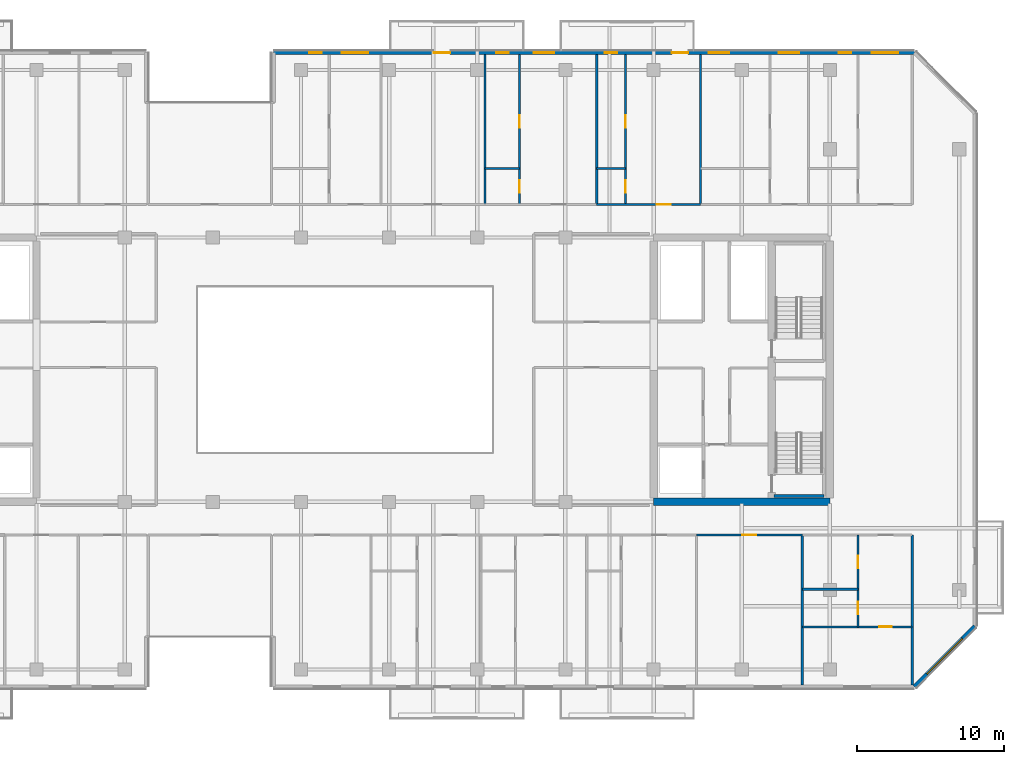
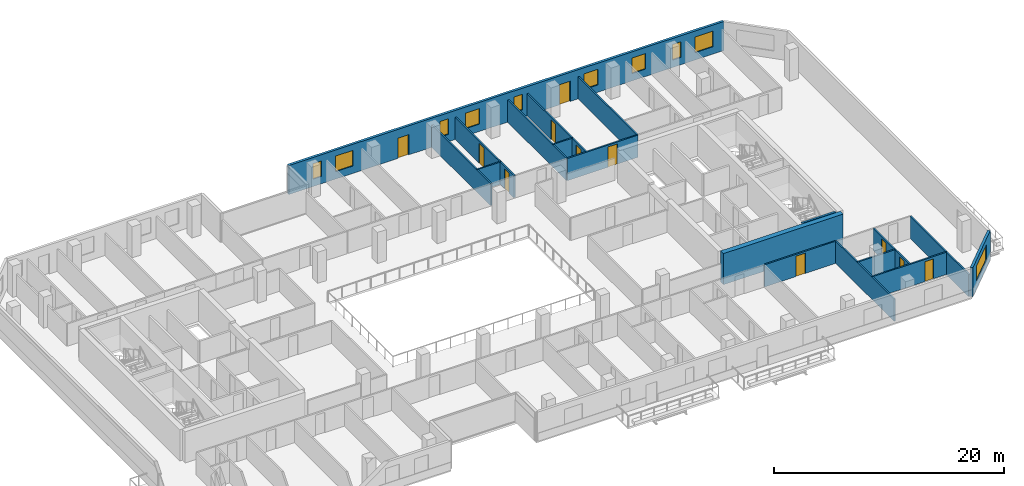
# One storey, part 13 of 19: 18 walls, 11 doors, 10 windows, 21 openings.
"""IFC4 building model written with IfcOpenShell, lengths in metres."""

from ifc_helpers import new_model, si_unit, direction, frame, frame_2d, origin, place, context, subcontext, project, spatial, rectangle, extrude, material, layer, layer_set, type_object, element, fill, save


model = new_model("IFC4")

# Units and contexts
model_context = context("Model", 3, precision=1e-05, world=origin(), true_north=direction((0.0, 1.0)))
body_context = subcontext(model_context, "Body", "Model", "MODEL_VIEW")
ifc_project = project(units=[si_unit("LENGTHUNIT", "METRE"), si_unit("AREAUNIT", "SQUARE_METRE"), si_unit("VOLUMEUNIT", "CUBIC_METRE"), si_unit("PLANEANGLEUNIT", "RADIAN"), si_unit("MASSUNIT", "GRAM", prefix="KILO")], contexts=[model_context])

# Site, building, storey
site_placement = place(None, origin())
site = spatial("IfcSite", under=ifc_project, at=site_placement, CompositionType="ELEMENT")
building_placement = place(site_placement, origin())
building = spatial("IfcBuilding", under=site, at=building_placement, Name="Tanjung Sevakor Pilgrim Tower", CompositionType="ELEMENT")
storey_placement = place(building_placement, frame((0.0, 0.0, 132.0)))
storey = spatial("IfcBuildingStorey", under=building, at=storey_placement, Name="L36", CompositionType="ELEMENT", Elevation=132.0)

# Walls
ifc_material_1 = material(Name="Concrete C60/75", Category="concrete")
ifc_layer_1 = layer(ifc_material_1, 0.5)
ifc_layer_set_1 = layer_set([ifc_layer_1], Name="WALL-CW-500")
wall_type_1 = type_object("IfcWallType", Name="WALL-CW-500", PredefinedType="SHEAR", material=ifc_layer_set_1)
wall_1_placement = place(storey_placement, frame((78.0, 24.60009765625, 0.0), z_axis=(0.0, 0.0, 1.0), x_axis=(1.0, 0.0, 0.0)))
element("IfcWall", 1, at=wall_1_placement, inside=storey, type_object=wall_type_1, Name="L36 E Core South Shear Wall", PredefinedType="SHEAR", context=body_context, shape_type="SweptSolid", body=[
    extrude(rectangle(XDim=12.0, YDim=0.5, at=frame_2d((6.0, 0.0))), origin(), (0.0, 0.0, 1.0), 3.300048828125),
])
ifc_material_2 = material(Name="Concrete C40/50", Category="concrete")
ifc_layer_2 = layer(ifc_material_2, 0.14990234375)
ifc_layer_set_2 = layer_set([ifc_layer_2], Name="WT-COMP-150")
wall_type_2 = type_object("IfcWallType", Name="WT-COMP-150", PredefinedType="SOLIDWALL", material=ifc_layer_set_2)
for number, where, z_axis, x_axis, name in (
    (2, (95.60009765625, 12.14990234375, 0.0), (0.0, 0.0, 1.0), (0.0, 1.0, 0.0), "L36 Partition IW-L36-049"),
    (3, (88.12255859375, 12.14990234375, 0.0), (0.0, 0.0, 1.0), (0.0, 1.0, 0.0), "L36 Partition IW-L36-064"),
):
    element("IfcWall", number, at=place(storey_placement, frame(where, z_axis=z_axis, x_axis=x_axis)), inside=storey, type_object=wall_type_2, Name=name, PredefinedType="SOLIDWALL", context=body_context, shape_type="SweptSolid", body=[
        extrude(rectangle(XDim=10.2001953125, YDim=0.14990234375, at=frame_2d((5.10009765625, 0.0))), origin(), (0.0, 0.0, 1.0), 2.35009765625),
    ])

# Wall, opening, door
wall_2_placement = place(storey_placement, frame((80.922119140625, 22.35009765625, 0.0), z_axis=(0.0, 0.0, 1.0), x_axis=(1.0, 0.0, 0.0)))
wall_2 = element("IfcWall", 4, at=wall_2_placement, inside=storey, type_object=wall_type_2, Name="L36 Partition IW-L36-065", PredefinedType="SOLIDWALL", context=body_context, shape_type="SweptSolid", body=[
    extrude(rectangle(XDim=7.200439453125, YDim=0.14990234375, at=frame_2d((3.60009765625, 0.0))), origin(), (0.0, 0.0, 1.0), 2.35009765625),
])
opening_1_placement = place(wall_2_placement, frame((3.125244140625, 0.0, 0.0)))
opening_1 = element("IfcOpeningElement", 5, at=opening_1_placement, cuts=wall_2, Name="Opening ID-FD2", PredefinedType="OPENING", context=body_context, shape_type="SweptSolid", body=[
    extrude(rectangle(XDim=0.949951171875, YDim=2.14990234375, at=frame_2d((0.47509765625, 1.074951171875))), frame((0.0, 0.0849609375, 0.0), z_axis=(0.0, -1.0, 0.0), x_axis=(1.0, 0.0, 0.0)), (0.0, 0.0, 1.0), 0.169921875),
])
ifc_material_3 = material(Name="Fire-Rated Timber", Category="wood")
door_type_1 = type_object("IfcDoorType", Name="DT-FIRE-950", OperationType="NOTDEFINED", PredefinedType="DOOR", material=ifc_material_3)
door_1_placement = place(opening_1_placement, origin())
door_1 = element("IfcDoor", 6, at=door_1_placement, inside=storey, type_object=door_type_1, Name="Study Room Entrance", OperationType="SINGLE_SWING_LEFT", OverallHeight=2.14990234375, OverallWidth=0.949951171875, PredefinedType="DOOR", context=body_context, shape_type="SweptSolid", body=[
    extrude(rectangle(XDim=0.949951171875, YDim=2.14990234375, at=frame_2d((0.47509765625, 1.074951171875))), frame((0.0, 0.02490234375, 0.0), z_axis=(0.0, -1.0, 0.0), x_axis=(1.0, 0.0, 0.0)), (0.0, 0.0, 1.0), 0.050048828125),
])
fill(opening_1, door_1)

# Walls
for number, where, z_axis, x_axis, name in (
    (7, (66.522705078125, 44.85009765625, 0.0), (0.0, 0.0, 1.0), (0.0, 1.0, 0.0), "L36 Partition IW-L36-085"),
    (8, (74.131591796875, 44.85009765625, 0.0), (0.0, 0.0, 1.0), (0.0, 1.0, 0.0), "L36 Partition IW-L36-087"),
    (9, (81.197265625, 44.85009765625, 0.0), (0.0, 0.0, 1.0), (0.0, 1.0, 0.0), "L36 Partition IW-L36-091"),
):
    element("IfcWall", number, at=place(storey_placement, frame(where, z_axis=z_axis, x_axis=x_axis)), inside=storey, type_object=wall_type_2, Name=name, PredefinedType="SOLIDWALL", context=body_context, shape_type="SweptSolid", body=[
        extrude(rectangle(XDim=10.199951171875, YDim=0.14990234375, at=frame_2d((5.10009765625, 0.0))), origin(), (0.0, 0.0, 1.0), 2.35009765625),
    ])

# Wall, opening, door
wall_3_placement = place(storey_placement, frame((74.131591796875, 44.85009765625, 0.0), z_axis=(0.0, 0.0, 1.0), x_axis=(1.0, 0.0, 0.0)))
wall_3 = element("IfcWall", 10, at=wall_3_placement, inside=storey, type_object=wall_type_2, Name="L36 Partition IW-L36-094", PredefinedType="SOLIDWALL", context=body_context, shape_type="SweptSolid", body=[
    extrude(rectangle(XDim=7.065673828125, YDim=0.14990234375, at=frame_2d((3.53271484375, 0.0))), origin(), (0.0, 0.0, 1.0), 2.35009765625),
])
opening_2_placement = place(wall_3_placement, frame((4.072021484375, 0.0, 0.0)))
opening_2 = element("IfcOpeningElement", 11, at=opening_2_placement, cuts=wall_3, Name="Opening ID-FD2", PredefinedType="OPENING", context=body_context, shape_type="SweptSolid", body=[
    extrude(rectangle(XDim=0.949951171875, YDim=2.14990234375, at=frame_2d((0.47509765625, 1.074951171875))), frame((0.0, 0.0849609375, 0.0), z_axis=(0.0, -1.0, 0.0), x_axis=(1.0, 0.0, 0.0)), (0.0, 0.0, 1.0), 0.169921875),
])
door_2_placement = place(opening_2_placement, origin())
door_2 = element("IfcDoor", 12, at=door_2_placement, inside=storey, type_object=door_type_1, Name="Hostel Quad Entrance", OperationType="SINGLE_SWING_LEFT", OverallHeight=2.14990234375, OverallWidth=0.949951171875, PredefinedType="DOOR", context=body_context, shape_type="SweptSolid", body=[
    extrude(rectangle(XDim=0.949951171875, YDim=2.14990234375, at=frame_2d((0.47509765625, 1.074951171875))), frame((0.0, 0.02490234375, 0.0), z_axis=(0.0, -1.0, 0.0), x_axis=(1.0, 0.0, 0.0)), (0.0, 0.0, 1.0), 0.050048828125),
])
fill(opening_2, door_2)

# Wall, opening, window
ifc_material_4 = material(Name="Precast concrete C45/55", Category="concrete")
ifc_layer_3 = layer(ifc_material_4, 0.25)
ifc_layer_set_3 = layer_set([ifc_layer_3], Name="WT-EW-STN3")
wall_type_3 = type_object("IfcWallType", Name="WT-EW-STN3", PredefinedType="SOLIDWALL", material=ifc_layer_set_3)
wall_4_placement = place(storey_placement, frame((95.748291015625, 12.02490234375, 0.0), z_axis=(0.0, 0.0, 1.0), x_axis=(0.70708586489, 0.707127696864, 0.0)))
wall_4 = element("IfcWall", 13, at=wall_4_placement, inside=storey, type_object=wall_type_3, Name="L36 MAIN Sculpted Corner Wall 5", PredefinedType="SOLIDWALL", context=body_context, shape_type="SweptSolid", body=[
    extrude(rectangle(XDim=5.836181640625, YDim=0.25, at=frame_2d((2.91796875, 0.0))), origin(), (0.0, 0.0, 1.0), 3.080078125),
])
opening_3_placement = place(wall_4_placement, frame((1.218017578125, 0.0, 0.780029296875)))
opening_3 = element("IfcOpeningElement", 14, at=opening_3_placement, cuts=wall_4, Name="Opening WN-CHM-1660", PredefinedType="OPENING", context=body_context, shape_type="SweptSolid", body=[
    extrude(rectangle(XDim=3.39990234375, YDim=1.659912109375, at=frame_2d((1.699951171875, 0.830078125))), frame((0.0, 0.135009765625, 0.0), z_axis=(0.0, -1.0, 0.0), x_axis=(1.0, 0.0, 0.0)), (0.0, 0.0, 1.0), 0.27001953125),
])
ifc_material_5 = material(Name="Thermally Broken Aluminium and Low-E Glass", Category="aluminium")
window_type_1 = type_object("IfcWindowType", Name="WTYP-WN-CHM-1660", PartitioningType="DOUBLE_PANEL_VERTICAL", PredefinedType="WINDOW", material=ifc_material_5)
window_1_placement = place(opening_3_placement, origin())
window_1 = element("IfcWindow", 15, at=window_1_placement, inside=storey, type_object=window_type_1, Name="L36 Facade Window 01", OverallHeight=1.659912109375, OverallWidth=3.39990234375, PartitioningType="SINGLE_PANEL", PredefinedType="WINDOW", context=body_context, shape_type="SweptSolid", body=[
    extrude(rectangle(XDim=3.39990234375, YDim=1.659912109375, at=frame_2d((1.699951171875, 0.830078125))), frame((0.0, 0.030029296875, 0.0), z_axis=(0.0, -1.0, 0.0), x_axis=(1.0, 0.0, 0.0)), (0.0, 0.0, 1.0), 0.06005859375),
])
fill(opening_3, window_1)

# Wall, openings, doors, windows
wall_5_placement = place(storey_placement, frame((95.748291015625, 55.175048828125, 0.0), z_axis=(0.0, 0.0, 1.0), x_axis=(-1.0, 0.0, 0.0)))
wall_5 = element("IfcWall", 16, at=wall_5_placement, inside=storey, type_object=wall_type_3, Name="L36 MAIN Exterior Wall 9", PredefinedType="SOLIDWALL", context=body_context, shape_type="SweptSolid", body=[
    extrude(rectangle(XDim=43.623291015625, YDim=0.25, at=frame_2d((21.8115234375, 0.0))), origin(), (0.0, 0.0, 1.0), 3.080078125),
])
opening_4_placement = place(wall_5_placement, frame((31.59814453125, 0.0, 0.0)))
opening_4 = element("IfcOpeningElement", 17, at=opening_4_placement, cuts=wall_5, Name="Opening ED-BAL-1100", PredefinedType="OPENING", context=body_context, shape_type="SweptSolid", body=[
    extrude(rectangle(XDim=1.10009765625, YDim=2.14990234375, at=frame_2d((0.550048828125, 1.074951171875))), frame((0.0, 0.135009765625, 0.0), z_axis=(0.0, -1.0, 0.0), x_axis=(1.0, 0.0, 0.0)), (0.0, 0.0, 1.0), 0.27001953125),
])
opening_5_placement = place(wall_5_placement, frame((15.398193359375, 0.0, 0.0)))
opening_5 = element("IfcOpeningElement", 18, at=opening_5_placement, cuts=wall_5, Name="Opening ED-BAL-1100", PredefinedType="OPENING", context=body_context, shape_type="SweptSolid", body=[
    extrude(rectangle(XDim=1.10009765625, YDim=2.14990234375, at=frame_2d((0.550048828125, 1.074951171875))), frame((0.0, 0.135009765625, 0.0), z_axis=(0.0, -1.0, 0.0), x_axis=(1.0, 0.0, 0.0)), (0.0, 0.0, 1.0), 0.27001953125),
])
opening_6_placement = place(wall_5_placement, frame((40.333251953125, 0.0, 0.780029296875)))
opening_6 = element("IfcOpeningElement", 19, at=opening_6_placement, cuts=wall_5, Name="Opening WN-SLM", PredefinedType="OPENING", context=body_context, shape_type="SweptSolid", body=[
    extrude(rectangle(XDim=0.85009765625, YDim=1.64990234375, at=frame_2d((0.425048828125, 0.824951171875))), frame((0.0, 0.135009765625, 0.0), z_axis=(0.0, -1.0, 0.0), x_axis=(1.0, 0.0, 0.0)), (0.0, 0.0, 1.0), 0.27001953125),
])
opening_7_placement = place(wall_5_placement, frame((37.169677734375, 0.0, 0.780029296875)))
opening_7 = element("IfcOpeningElement", 20, at=opening_7_placement, cuts=wall_5, Name="Opening WN-Z3-1660", PredefinedType="OPENING", context=body_context, shape_type="SweptSolid", body=[
    extrude(rectangle(XDim=1.800048828125, YDim=1.659912109375, at=frame_2d((0.89990234375, 0.830078125))), frame((0.0, 0.135009765625, 0.0), z_axis=(0.0, -1.0, 0.0), x_axis=(1.0, 0.0, 0.0)), (0.0, 0.0, 1.0), 0.27001953125),
])
opening_8_placement = place(wall_5_placement, frame((27.615478515625, 0.0, 0.780029296875)))
opening_8 = element("IfcOpeningElement", 21, at=opening_8_placement, cuts=wall_5, Name="Opening WN-SLM", PredefinedType="OPENING", context=body_context, shape_type="SweptSolid", body=[
    extrude(rectangle(XDim=0.85009765625, YDim=1.64990234375, at=frame_2d((0.425048828125, 0.824951171875))), frame((0.0, 0.135009765625, 0.0), z_axis=(0.0, -1.0, 0.0), x_axis=(1.0, 0.0, 0.0)), (0.0, 0.0, 1.0), 0.27001953125),
])
opening_9_placement = place(wall_5_placement, frame((24.51611328125, 0.0, 0.780029296875)))
opening_9 = element("IfcOpeningElement", 22, at=opening_9_placement, cuts=wall_5, Name="Opening WN-END", PredefinedType="OPENING", context=body_context, shape_type="SweptSolid", body=[
    extrude(rectangle(XDim=1.39990234375, YDim=1.64990234375, at=frame_2d((0.699951171875, 0.824951171875))), frame((0.0, 0.135009765625, 0.0), z_axis=(0.0, -1.0, 0.0), x_axis=(1.0, 0.0, 0.0)), (0.0, 0.0, 1.0), 0.27001953125),
])
opening_10_placement = place(wall_5_placement, frame((20.20751953125, 0.0, 0.780029296875)))
opening_10 = element("IfcOpeningElement", 23, at=opening_10_placement, cuts=wall_5, Name="Opening WN-SLM", PredefinedType="OPENING", context=body_context, shape_type="SweptSolid", body=[
    extrude(rectangle(XDim=0.85009765625, YDim=1.64990234375, at=frame_2d((0.425048828125, 0.824951171875))), frame((0.0, 0.135009765625, 0.0), z_axis=(0.0, -1.0, 0.0), x_axis=(1.0, 0.0, 0.0)), (0.0, 0.0, 1.0), 0.27001953125),
])
opening_11_placement = place(wall_5_placement, frame((12.599609375, 0.0, 0.780029296875)))
opening_11 = element("IfcOpeningElement", 24, at=opening_11_placement, cuts=wall_5, Name="Opening WN-END", PredefinedType="OPENING", context=body_context, shape_type="SweptSolid", body=[
    extrude(rectangle(XDim=1.39990234375, YDim=1.64990234375, at=frame_2d((0.699951171875, 0.824951171875))), frame((0.0, 0.135009765625, 0.0), z_axis=(0.0, -1.0, 0.0), x_axis=(1.0, 0.0, 0.0)), (0.0, 0.0, 1.0), 0.27001953125),
])
opening_12_placement = place(wall_5_placement, frame((7.8310546875, 0.0, 0.780029296875)))
opening_12 = element("IfcOpeningElement", 25, at=opening_12_placement, cuts=wall_5, Name="Opening WN-END", PredefinedType="OPENING", context=body_context, shape_type="SweptSolid", body=[
    extrude(rectangle(XDim=1.39990234375, YDim=1.64990234375, at=frame_2d((0.699951171875, 0.824951171875))), frame((0.0, 0.135009765625, 0.0), z_axis=(0.0, -1.0, 0.0), x_axis=(1.0, 0.0, 0.0)), (0.0, 0.0, 1.0), 0.27001953125),
])
opening_13_placement = place(wall_5_placement, frame((4.285888671875, 0.0, 0.780029296875)))
opening_13 = element("IfcOpeningElement", 26, at=opening_13_placement, cuts=wall_5, Name="Opening WN-SLM", PredefinedType="OPENING", context=body_context, shape_type="SweptSolid", body=[
    extrude(rectangle(XDim=0.85009765625, YDim=1.64990234375, at=frame_2d((0.425048828125, 0.824951171875))), frame((0.0, 0.135009765625, 0.0), z_axis=(0.0, -1.0, 0.0), x_axis=(1.0, 0.0, 0.0)), (0.0, 0.0, 1.0), 0.27001953125),
])
opening_14_placement = place(wall_5_placement, frame((1.09814453125, 0.0, 0.780029296875)))
opening_14 = element("IfcOpeningElement", 27, at=opening_14_placement, cuts=wall_5, Name="Opening WN-Z3-1660", PredefinedType="OPENING", context=body_context, shape_type="SweptSolid", body=[
    extrude(rectangle(XDim=1.800048828125, YDim=1.659912109375, at=frame_2d((0.89990234375, 0.830078125))), frame((0.0, 0.135009765625, 0.0), z_axis=(0.0, -1.0, 0.0), x_axis=(1.0, 0.0, 0.0)), (0.0, 0.0, 1.0), 0.27001953125),
])
ifc_material_6 = material(Name="Anodised Aluminium and Laminated Glass", Category="aluminium")
door_type_2 = type_object("IfcDoorType", Name="DTYP-ED-BAL-1100", OperationType="NOTDEFINED", PredefinedType="DOOR", material=ifc_material_6)
door_3_placement = place(opening_4_placement, frame((1.10009765625, 0.0, 0.0), z_axis=(0.0, 0.0, 1.0), x_axis=(-1.0, 0.0, 0.0)))
door_3 = element("IfcDoor", 28, at=door_3_placement, inside=storey, type_object=door_type_2, Name="L36 Balcony Door MAIN-N2", OperationType="SINGLE_SWING_RIGHT", OverallHeight=2.14990234375, OverallWidth=1.10009765625, PredefinedType="DOOR", context=body_context, shape_type="SweptSolid", body=[
    extrude(rectangle(XDim=1.10009765625, YDim=2.14990234375, at=frame_2d((0.550048828125, 1.074951171875))), frame((0.0, 0.02490234375, 0.0), z_axis=(0.0, -1.0, 0.0), x_axis=(1.0, 0.0, 0.0)), (0.0, 0.0, 1.0), 0.050048828125),
])
fill(opening_4, door_3)
door_4_placement = place(opening_5_placement, frame((1.10009765625, 0.0, 0.0), z_axis=(0.0, 0.0, 1.0), x_axis=(-1.0, 0.0, 0.0)))
door_4 = element("IfcDoor", 29, at=door_4_placement, inside=storey, type_object=door_type_2, Name="L36 Balcony Door MAIN-N3", OperationType="SINGLE_SWING_LEFT", OverallHeight=2.14990234375, OverallWidth=1.10009765625, PredefinedType="DOOR", context=body_context, shape_type="SweptSolid", body=[
    extrude(rectangle(XDim=1.10009765625, YDim=2.14990234375, at=frame_2d((0.550048828125, 1.074951171875))), frame((0.0, 0.02490234375, 0.0), z_axis=(0.0, -1.0, 0.0), x_axis=(1.0, 0.0, 0.0)), (0.0, 0.0, 1.0), 0.050048828125),
])
fill(opening_5, door_4)
ifc_material_7 = material(Name="Thermally Broken Aluminium and Low-E Glass", Category="aluminium")
window_type_2 = type_object("IfcWindowType", Name="WTYP-WN-END", PartitioningType="SINGLE_PANEL", PredefinedType="WINDOW", material=ifc_material_7)
window_2_placement = place(opening_9_placement, origin())
window_2 = element("IfcWindow", 30, at=window_2_placement, inside=storey, type_object=window_type_2, Name="L36 Facade Window 04", OverallHeight=1.64990234375, OverallWidth=1.39990234375, PartitioningType="SINGLE_PANEL", PredefinedType="WINDOW", context=body_context, shape_type="SweptSolid", body=[
    extrude(rectangle(XDim=1.39990234375, YDim=1.64990234375, at=frame_2d((0.699951171875, 0.824951171875))), frame((0.0, 0.030029296875, 0.0), z_axis=(0.0, -1.0, 0.0), x_axis=(1.0, 0.0, 0.0)), (0.0, 0.0, 1.0), 0.06005859375),
])
fill(opening_9, window_2)
window_3_placement = place(opening_11_placement, origin())
window_3 = element("IfcWindow", 31, at=window_3_placement, inside=storey, type_object=window_type_2, Name="L36 Facade Window 06", OverallHeight=1.64990234375, OverallWidth=1.39990234375, PartitioningType="SINGLE_PANEL", PredefinedType="WINDOW", context=body_context, shape_type="SweptSolid", body=[
    extrude(rectangle(XDim=1.39990234375, YDim=1.64990234375, at=frame_2d((0.699951171875, 0.824951171875))), frame((0.0, 0.030029296875, 0.0), z_axis=(0.0, -1.0, 0.0), x_axis=(1.0, 0.0, 0.0)), (0.0, 0.0, 1.0), 0.06005859375),
])
fill(opening_11, window_3)
window_4_placement = place(opening_12_placement, origin())
window_4 = element("IfcWindow", 32, at=window_4_placement, inside=storey, type_object=window_type_2, Name="L36 Facade Window 07", OverallHeight=1.64990234375, OverallWidth=1.39990234375, PartitioningType="SINGLE_PANEL", PredefinedType="WINDOW", context=body_context, shape_type="SweptSolid", body=[
    extrude(rectangle(XDim=1.39990234375, YDim=1.64990234375, at=frame_2d((0.699951171875, 0.824951171875))), frame((0.0, 0.030029296875, 0.0), z_axis=(0.0, -1.0, 0.0), x_axis=(1.0, 0.0, 0.0)), (0.0, 0.0, 1.0), 0.06005859375),
])
fill(opening_12, window_4)
ifc_material_8 = material(Name="Thermally Broken Aluminium and Low-E Glass", Category="aluminium")
window_type_3 = type_object("IfcWindowType", Name="WTYP-WN-SLM", PartitioningType="SINGLE_PANEL", PredefinedType="WINDOW", material=ifc_material_8)
window_5_placement = place(opening_6_placement, origin())
window_5 = element("IfcWindow", 33, at=window_5_placement, inside=storey, type_object=window_type_3, Name="L36 Facade Window 01", OverallHeight=1.64990234375, OverallWidth=0.85009765625, PartitioningType="SINGLE_PANEL", PredefinedType="WINDOW", context=body_context, shape_type="SweptSolid", body=[
    extrude(rectangle(XDim=0.85009765625, YDim=1.64990234375, at=frame_2d((0.425048828125, 0.824951171875))), frame((0.0, 0.030029296875, 0.0), z_axis=(0.0, -1.0, 0.0), x_axis=(1.0, 0.0, 0.0)), (0.0, 0.0, 1.0), 0.06005859375),
])
fill(opening_6, window_5)
window_6_placement = place(opening_8_placement, origin())
window_6 = element("IfcWindow", 34, at=window_6_placement, inside=storey, type_object=window_type_3, Name="L36 Facade Window 03", OverallHeight=1.64990234375, OverallWidth=0.85009765625, PartitioningType="SINGLE_PANEL", PredefinedType="WINDOW", context=body_context, shape_type="SweptSolid", body=[
    extrude(rectangle(XDim=0.85009765625, YDim=1.64990234375, at=frame_2d((0.425048828125, 0.824951171875))), frame((0.0, 0.030029296875, 0.0), z_axis=(0.0, -1.0, 0.0), x_axis=(1.0, 0.0, 0.0)), (0.0, 0.0, 1.0), 0.06005859375),
])
fill(opening_8, window_6)
window_7_placement = place(opening_10_placement, origin())
window_7 = element("IfcWindow", 35, at=window_7_placement, inside=storey, type_object=window_type_3, Name="L36 Facade Window 05", OverallHeight=1.64990234375, OverallWidth=0.85009765625, PartitioningType="SINGLE_PANEL", PredefinedType="WINDOW", context=body_context, shape_type="SweptSolid", body=[
    extrude(rectangle(XDim=0.85009765625, YDim=1.64990234375, at=frame_2d((0.425048828125, 0.824951171875))), frame((0.0, 0.030029296875, 0.0), z_axis=(0.0, -1.0, 0.0), x_axis=(1.0, 0.0, 0.0)), (0.0, 0.0, 1.0), 0.06005859375),
])
fill(opening_10, window_7)
window_8_placement = place(opening_13_placement, origin())
window_8 = element("IfcWindow", 36, at=window_8_placement, inside=storey, type_object=window_type_3, Name="L36 Facade Window 08", OverallHeight=1.64990234375, OverallWidth=0.85009765625, PartitioningType="SINGLE_PANEL", PredefinedType="WINDOW", context=body_context, shape_type="SweptSolid", body=[
    extrude(rectangle(XDim=0.85009765625, YDim=1.64990234375, at=frame_2d((0.425048828125, 0.824951171875))), frame((0.0, 0.030029296875, 0.0), z_axis=(0.0, -1.0, 0.0), x_axis=(1.0, 0.0, 0.0)), (0.0, 0.0, 1.0), 0.06005859375),
])
fill(opening_13, window_8)
ifc_material_9 = material(Name="Thermally Broken Aluminium and Low-E Glass", Category="aluminium")
window_type_4 = type_object("IfcWindowType", Name="WTYP-WN-Z3-1660", PartitioningType="DOUBLE_PANEL_VERTICAL", PredefinedType="WINDOW", material=ifc_material_9)
window_9_placement = place(opening_7_placement, origin())
window_9 = element("IfcWindow", 37, at=window_9_placement, inside=storey, type_object=window_type_4, Name="L36 Facade Window 02", OverallHeight=1.659912109375, OverallWidth=1.800048828125, PartitioningType="SINGLE_PANEL", PredefinedType="WINDOW", context=body_context, shape_type="SweptSolid", body=[
    extrude(rectangle(XDim=1.800048828125, YDim=1.659912109375, at=frame_2d((0.89990234375, 0.830078125))), frame((0.0, 0.030029296875, 0.0), z_axis=(0.0, -1.0, 0.0), x_axis=(1.0, 0.0, 0.0)), (0.0, 0.0, 1.0), 0.06005859375),
])
fill(opening_7, window_9)
window_10_placement = place(opening_14_placement, origin())
window_10 = element("IfcWindow", 38, at=window_10_placement, inside=storey, type_object=window_type_4, Name="L36 Facade Window 09", OverallHeight=1.659912109375, OverallWidth=1.800048828125, PartitioningType="SINGLE_PANEL", PredefinedType="WINDOW", context=body_context, shape_type="SweptSolid", body=[
    extrude(rectangle(XDim=1.800048828125, YDim=1.659912109375, at=frame_2d((0.89990234375, 0.830078125))), frame((0.0, 0.030029296875, 0.0), z_axis=(0.0, -1.0, 0.0), x_axis=(1.0, 0.0, 0.0)), (0.0, 0.0, 1.0), 0.06005859375),
])
fill(opening_14, window_10)

# Walls
ifc_material_10 = material(Name="Concrete C40/50", Category="concrete")
ifc_layer_4 = layer(ifc_material_10, 0.199951171875)
ifc_layer_set_4 = layer_set([ifc_layer_4], Name="WT-FIRE-200")
wall_type_4 = type_object("IfcWallType", Name="WT-FIRE-200", PredefinedType="SOLIDWALL", material=ifc_layer_set_4)
wall_6_placement = place(storey_placement, frame((86.199951171875, 25.0, 0.0), z_axis=(0.0, 0.0, 1.0), x_axis=(1.0, 0.0, 0.0)))
element("IfcWall", 39, at=wall_6_placement, inside=storey, type_object=wall_type_4, Name="L36 TS-E1 Shaft Wall 1", PredefinedType="SOLIDWALL", context=body_context, shape_type="SweptSolid", body=[
    extrude(rectangle(XDim=3.400146484375, YDim=0.199951171875, at=frame_2d((1.7001953125, 0.0))), origin(), (0.0, 0.0, 1.0), 3.300048828125),
])
ifc_material_11 = material(Name="Gypsum Board Partition", Category="gypsum board")
ifc_layer_5 = layer(ifc_material_11, 0.14990234375)
ifc_layer_set_5 = layer_set([ifc_layer_5], Name="WT-PART-150")
wall_type_5 = type_object("IfcWallType", Name="WT-PART-150", PredefinedType="PARTITIONING", material=ifc_layer_set_5)
wall_7_placement = place(storey_placement, frame((88.12255859375, 18.65966796875, 0.0), z_axis=(0.0, 0.0, 1.0), x_axis=(1.0, 0.0, 0.0)))
element("IfcWall", 40, at=wall_7_placement, inside=storey, type_object=wall_type_5, Name="L36 Partition IW-L36-066", PredefinedType="PARTITIONING", context=body_context, shape_type="SweptSolid", body=[
    extrude(rectangle(XDim=3.79736328125, YDim=0.14990234375, at=frame_2d((1.898681640625, 0.0))), origin(), (0.0, 0.0, 1.0), 2.35009765625),
])

# Wall, openings, doors
wall_8_placement = place(storey_placement, frame((91.919921875, 16.09521484375, 0.0), z_axis=(0.0, 0.0, 1.0), x_axis=(0.0, 1.0, 0.0)))
wall_8 = element("IfcWall", 41, at=wall_8_placement, inside=storey, type_object=wall_type_5, Name="L36 Partition IW-L36-067", PredefinedType="PARTITIONING", context=body_context, shape_type="SweptSolid", body=[
    extrude(rectangle(XDim=6.2548828125, YDim=0.14990234375, at=frame_2d((3.12744140625, 0.0))), origin(), (0.0, 0.0, 1.0), 2.35009765625),
])
opening_15_placement = place(wall_8_placement, frame((0.857421875, 0.0, 0.0)))
opening_15 = element("IfcOpeningElement", 42, at=opening_15_placement, cuts=wall_8, Name="Opening ID-WC1", PredefinedType="OPENING", context=body_context, shape_type="SweptSolid", body=[
    extrude(rectangle(XDim=0.85009765625, YDim=2.10009765625, at=frame_2d((0.425048828125, 1.050048828125))), frame((0.0, 0.0849609375, 0.0), z_axis=(0.0, -1.0, 0.0), x_axis=(1.0, 0.0, 0.0)), (0.0, 0.0, 1.0), 0.169921875),
])
opening_16_placement = place(wall_8_placement, frame((3.984619140625, 0.0, 0.0)))
opening_16 = element("IfcOpeningElement", 43, at=opening_16_placement, cuts=wall_8, Name="Opening ID-WC1", PredefinedType="OPENING", context=body_context, shape_type="SweptSolid", body=[
    extrude(rectangle(XDim=0.85009765625, YDim=2.10009765625, at=frame_2d((0.425048828125, 1.050048828125))), frame((0.0, 0.0849609375, 0.0), z_axis=(0.0, -1.0, 0.0), x_axis=(1.0, 0.0, 0.0)), (0.0, 0.0, 1.0), 0.169921875),
])
ifc_material_12 = material(Name="Moisture-Resistant Timber", Category="wood")
door_type_3 = type_object("IfcDoorType", Name="DT-INT-850", OperationType="NOTDEFINED", PredefinedType="DOOR", material=ifc_material_12)
door_5_placement = place(opening_15_placement, origin())
door_5 = element("IfcDoor", 44, at=door_5_placement, inside=storey, type_object=door_type_3, Name="Residence Bathroom Door", OperationType="SINGLE_SWING_RIGHT", OverallHeight=2.10009765625, OverallWidth=0.85009765625, PredefinedType="DOOR", context=body_context, shape_type="SweptSolid", body=[
    extrude(rectangle(XDim=0.85009765625, YDim=2.10009765625, at=frame_2d((0.425048828125, 1.050048828125))), frame((0.0, 0.02490234375, 0.0), z_axis=(0.0, -1.0, 0.0), x_axis=(1.0, 0.0, 0.0)), (0.0, 0.0, 1.0), 0.050048828125),
])
fill(opening_15, door_5)
door_6_placement = place(opening_16_placement, origin())
door_6 = element("IfcDoor", 45, at=door_6_placement, inside=storey, type_object=door_type_3, Name="Residence Kitchenette Door", OperationType="SINGLE_SWING_LEFT", OverallHeight=2.10009765625, OverallWidth=0.85009765625, PredefinedType="DOOR", context=body_context, shape_type="SweptSolid", body=[
    extrude(rectangle(XDim=0.85009765625, YDim=2.10009765625, at=frame_2d((0.425048828125, 1.050048828125))), frame((0.0, 0.02490234375, 0.0), z_axis=(0.0, -1.0, 0.0), x_axis=(1.0, 0.0, 0.0)), (0.0, 0.0, 1.0), 0.050048828125),
])
fill(opening_16, door_6)

# Wall, opening, door
wall_9_placement = place(storey_placement, frame((88.12255859375, 16.09521484375, 0.0), z_axis=(0.0, 0.0, 1.0), x_axis=(1.0, 0.0, 0.0)))
wall_9 = element("IfcWall", 46, at=wall_9_placement, inside=storey, type_object=wall_type_5, Name="L36 Partition IW-L36-068", PredefinedType="PARTITIONING", context=body_context, shape_type="SweptSolid", body=[
    extrude(rectangle(XDim=7.4775390625, YDim=0.14990234375, at=frame_2d((3.73876953125, 0.0))), origin(), (0.0, 0.0, 1.0), 2.35009765625),
])
opening_17_placement = place(wall_9_placement, frame((5.25244140625, 0.0, 0.0)))
opening_17 = element("IfcOpeningElement", 47, at=opening_17_placement, cuts=wall_9, Name="Opening ID-WC1", PredefinedType="OPENING", context=body_context, shape_type="SweptSolid", body=[
    extrude(rectangle(XDim=0.85009765625, YDim=2.10009765625, at=frame_2d((0.425048828125, 1.050048828125))), frame((0.0, 0.0849609375, 0.0), z_axis=(0.0, -1.0, 0.0), x_axis=(1.0, 0.0, 0.0)), (0.0, 0.0, 1.0), 0.169921875),
])
door_7_placement = place(opening_17_placement, origin())
door_7 = element("IfcDoor", 48, at=door_7_placement, inside=storey, type_object=door_type_3, Name="Residence Bedroom Door", OperationType="SINGLE_SWING_RIGHT", OverallHeight=2.10009765625, OverallWidth=0.85009765625, PredefinedType="DOOR", context=body_context, shape_type="SweptSolid", body=[
    extrude(rectangle(XDim=0.85009765625, YDim=2.10009765625, at=frame_2d((0.425048828125, 1.050048828125))), frame((0.0, 0.02490234375, 0.0), z_axis=(0.0, -1.0, 0.0), x_axis=(1.0, 0.0, 0.0)), (0.0, 0.0, 1.0), 0.050048828125),
])
fill(opening_17, door_7)

# Wall
wall_10_placement = place(storey_placement, frame((66.522705078125, 47.300048828125, 0.0), z_axis=(0.0, 0.0, 1.0), x_axis=(1.0, 0.0, 0.0)))
element("IfcWall", 49, at=wall_10_placement, inside=storey, type_object=wall_type_5, Name="L36 Partition IW-L36-088", PredefinedType="PARTITIONING", context=body_context, shape_type="SweptSolid", body=[
    extrude(rectangle(XDim=2.35009765625, YDim=0.14990234375, at=frame_2d((1.175048828125, 0.0))), origin(), (0.0, 0.0, 1.0), 2.35009765625),
])

# Wall, openings, doors
wall_11_placement = place(storey_placement, frame((68.872802734375, 44.85009765625, 0.0), z_axis=(0.0, 0.0, 1.0), x_axis=(0.0, 1.0, 0.0)))
wall_11 = element("IfcWall", 50, at=wall_11_placement, inside=storey, type_object=wall_type_5, Name="L36 Partition IW-L36-089", PredefinedType="PARTITIONING", context=body_context, shape_type="SweptSolid", body=[
    extrude(rectangle(XDim=10.199951171875, YDim=0.14990234375, at=frame_2d((5.10009765625, 0.0))), origin(), (0.0, 0.0, 1.0), 2.35009765625),
])
opening_18_placement = place(wall_11_placement, frame((0.800048828125, 0.0, 0.0)))
opening_18 = element("IfcOpeningElement", 51, at=opening_18_placement, cuts=wall_11, Name="Opening ID-WC1", PredefinedType="OPENING", context=body_context, shape_type="SweptSolid", body=[
    extrude(rectangle(XDim=0.85009765625, YDim=2.10009765625, at=frame_2d((0.425048828125, 1.050048828125))), frame((0.0, 0.0849609375, 0.0), z_axis=(0.0, -1.0, 0.0), x_axis=(1.0, 0.0, 0.0)), (0.0, 0.0, 1.0), 0.169921875),
])
opening_19_placement = place(wall_11_placement, frame((5.2099609375, 0.0, 0.0)))
opening_19 = element("IfcOpeningElement", 52, at=opening_19_placement, cuts=wall_11, Name="Opening ID-WC1", PredefinedType="OPENING", context=body_context, shape_type="SweptSolid", body=[
    extrude(rectangle(XDim=0.85009765625, YDim=2.10009765625, at=frame_2d((0.425048828125, 1.050048828125))), frame((0.0, 0.0849609375, 0.0), z_axis=(0.0, -1.0, 0.0), x_axis=(1.0, 0.0, 0.0)), (0.0, 0.0, 1.0), 0.169921875),
])
door_8_placement = place(opening_18_placement, origin())
door_8 = element("IfcDoor", 53, at=door_8_placement, inside=storey, type_object=door_type_3, Name="Bathroom Door", OperationType="SINGLE_SWING_RIGHT", OverallHeight=2.10009765625, OverallWidth=0.85009765625, PredefinedType="DOOR", context=body_context, shape_type="SweptSolid", body=[
    extrude(rectangle(XDim=0.85009765625, YDim=2.10009765625, at=frame_2d((0.425048828125, 1.050048828125))), frame((0.0, 0.02490234375, 0.0), z_axis=(0.0, -1.0, 0.0), x_axis=(1.0, 0.0, 0.0)), (0.0, 0.0, 1.0), 0.050048828125),
])
fill(opening_18, door_8)
door_9_placement = place(opening_19_placement, origin())
door_9 = element("IfcDoor", 54, at=door_9_placement, inside=storey, type_object=door_type_3, Name="Study Nook Door", OperationType="SINGLE_SWING_LEFT", OverallHeight=2.10009765625, OverallWidth=0.85009765625, PredefinedType="DOOR", context=body_context, shape_type="SweptSolid", body=[
    extrude(rectangle(XDim=0.85009765625, YDim=2.10009765625, at=frame_2d((0.425048828125, 1.050048828125))), frame((0.0, 0.02490234375, 0.0), z_axis=(0.0, -1.0, 0.0), x_axis=(1.0, 0.0, 0.0)), (0.0, 0.0, 1.0), 0.050048828125),
])
fill(opening_19, door_9)

# Wall
wall_12_placement = place(storey_placement, frame((74.131591796875, 47.300048828125, 0.0), z_axis=(0.0, 0.0, 1.0), x_axis=(1.0, 0.0, 0.0)))
element("IfcWall", 55, at=wall_12_placement, inside=storey, type_object=wall_type_5, Name="L36 Partition IW-L36-092", PredefinedType="PARTITIONING", context=body_context, shape_type="SweptSolid", body=[
    extrude(rectangle(XDim=1.948486328125, YDim=0.14990234375, at=frame_2d((0.97412109375, 0.0))), origin(), (0.0, 0.0, 1.0), 2.35009765625),
])

# Wall, openings, doors
wall_13_placement = place(storey_placement, frame((76.080078125, 44.85009765625, 0.0), z_axis=(0.0, 0.0, 1.0), x_axis=(0.0, 1.0, 0.0)))
wall_13 = element("IfcWall", 56, at=wall_13_placement, inside=storey, type_object=wall_type_5, Name="L36 Partition IW-L36-093", PredefinedType="PARTITIONING", context=body_context, shape_type="SweptSolid", body=[
    extrude(rectangle(XDim=10.199951171875, YDim=0.14990234375, at=frame_2d((5.10009765625, 0.0))), origin(), (0.0, 0.0, 1.0), 2.35009765625),
])
opening_20_placement = place(wall_13_placement, frame((0.800048828125, 0.0, 0.0)))
opening_20 = element("IfcOpeningElement", 57, at=opening_20_placement, cuts=wall_13, Name="Opening ID-WC1", PredefinedType="OPENING", context=body_context, shape_type="SweptSolid", body=[
    extrude(rectangle(XDim=0.85009765625, YDim=2.10009765625, at=frame_2d((0.425048828125, 1.050048828125))), frame((0.0, 0.0849609375, 0.0), z_axis=(0.0, -1.0, 0.0), x_axis=(1.0, 0.0, 0.0)), (0.0, 0.0, 1.0), 0.169921875),
])
opening_21_placement = place(wall_13_placement, frame((5.2099609375, 0.0, 0.0)))
opening_21 = element("IfcOpeningElement", 58, at=opening_21_placement, cuts=wall_13, Name="Opening ID-WC1", PredefinedType="OPENING", context=body_context, shape_type="SweptSolid", body=[
    extrude(rectangle(XDim=0.85009765625, YDim=2.10009765625, at=frame_2d((0.425048828125, 1.050048828125))), frame((0.0, 0.0849609375, 0.0), z_axis=(0.0, -1.0, 0.0), x_axis=(1.0, 0.0, 0.0)), (0.0, 0.0, 1.0), 0.169921875),
])
door_10_placement = place(opening_20_placement, origin())
door_10 = element("IfcDoor", 59, at=door_10_placement, inside=storey, type_object=door_type_3, Name="Bathroom Door", OperationType="SINGLE_SWING_LEFT", OverallHeight=2.10009765625, OverallWidth=0.85009765625, PredefinedType="DOOR", context=body_context, shape_type="SweptSolid", body=[
    extrude(rectangle(XDim=0.85009765625, YDim=2.10009765625, at=frame_2d((0.425048828125, 1.050048828125))), frame((0.0, 0.02490234375, 0.0), z_axis=(0.0, -1.0, 0.0), x_axis=(1.0, 0.0, 0.0)), (0.0, 0.0, 1.0), 0.050048828125),
])
fill(opening_20, door_10)
door_11_placement = place(opening_21_placement, origin())
door_11 = element("IfcDoor", 60, at=door_11_placement, inside=storey, type_object=door_type_3, Name="Study Nook Door", OperationType="SINGLE_SWING_RIGHT", OverallHeight=2.10009765625, OverallWidth=0.85009765625, PredefinedType="DOOR", context=body_context, shape_type="SweptSolid", body=[
    extrude(rectangle(XDim=0.85009765625, YDim=2.10009765625, at=frame_2d((0.425048828125, 1.050048828125))), frame((0.0, 0.02490234375, 0.0), z_axis=(0.0, -1.0, 0.0), x_axis=(1.0, 0.0, 0.0)), (0.0, 0.0, 1.0), 0.050048828125),
])
fill(opening_21, door_11)

save(model, "model.ifc")
